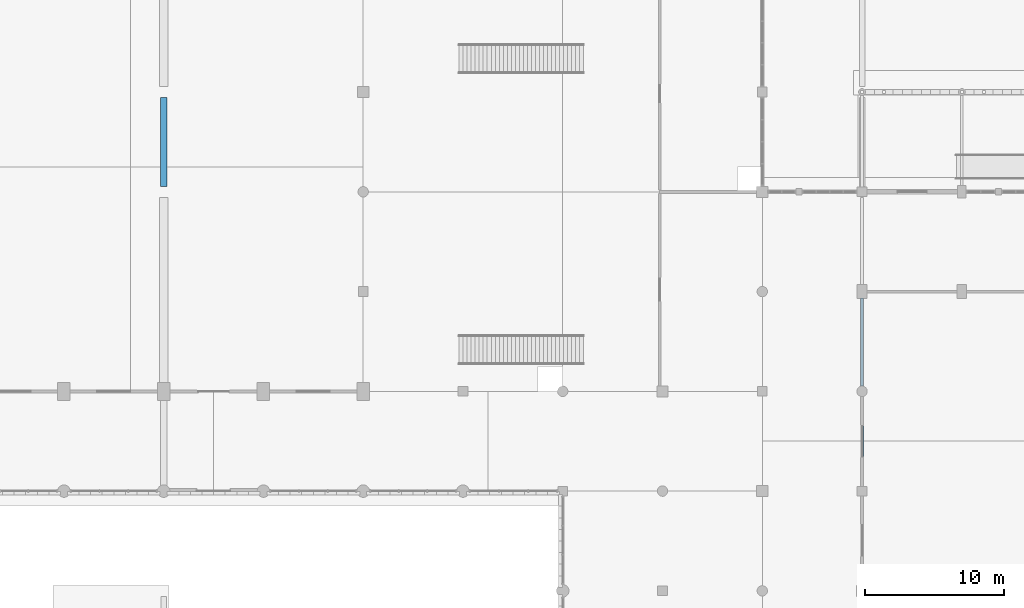
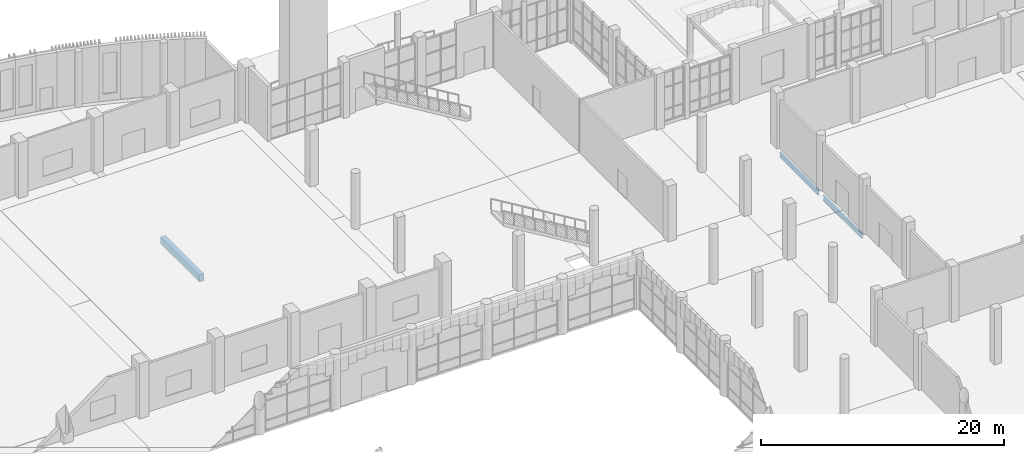
# One storey, part 24 of 85: 3 beams.
"""IFC4 building model written with IfcOpenShell, lengths in metres."""

from ifc_helpers import new_model, si_unit, direction, frame, origin, origin_2d, place, context, subcontext, project, spatial, rectangle, i_section, extrude, material, material_profile, profile_set, type_object, element, save


model = new_model("IFC4")

# Units and contexts
model_context = context("Model", 3, precision=1e-05, world=origin(), true_north=direction((0.0, 1.0)))
body_context = subcontext(model_context, "Body", "Model", "MODEL_VIEW")
ifc_project = project(units=[si_unit("LENGTHUNIT", "METRE"), si_unit("AREAUNIT", "SQUARE_METRE"), si_unit("VOLUMEUNIT", "CUBIC_METRE"), si_unit("PLANEANGLEUNIT", "RADIAN"), si_unit("MASSUNIT", "GRAM", prefix="KILO")], contexts=[model_context])

# Site, building, storey
site_placement = place(None, origin())
site = spatial("IfcSite", under=ifc_project, at=site_placement, CompositionType="ELEMENT")
building_placement = place(site_placement, origin())
building = spatial("IfcBuilding", under=site, at=building_placement, Name="Sardonyx Promenade Sports Hall", CompositionType="ELEMENT")
storey_placement = place(building_placement, origin())
storey = spatial("IfcBuildingStorey", under=building, at=storey_placement, Name="L00", CompositionType="ELEMENT", Elevation=0.0)

# Beams
ifc_material_1 = material(Name="Steel S355JR", Category="steel")
ifc_material_profile_1 = material_profile(ifc_material_1, i_section(OverallWidth=0.199951171875, OverallDepth=0.5, WebThickness=0.01025390625, FlangeThickness=0.01611328125, at=origin_2d()))
ifc_profile_set_1 = profile_set([ifc_material_profile_1], Name="Steel S355JR")
beam_type_1 = type_object("IfcBeamType", Name="Bm_Primary_IPE500", PredefinedType="BEAM", material=ifc_profile_set_1)
beam_1_placement = place(storey_placement, frame((115.199951171875, 65.199951171875, -0.659912109375), z_axis=(0.0, 1.0, 0.0), x_axis=(-1.0, 0.0, 0.0)))
element("IfcBeam", 1, at=beam_1_placement, inside=storey, type_object=beam_type_1, Name="Beam SB06 L00 #157", PredefinedType="BEAM", context=body_context, shape_type="SweptSolid", body=[
    extrude(i_section(OverallWidth=0.199951171875, OverallDepth=0.5, WebThickness=0.01025390625, FlangeThickness=0.01611328125, at=origin_2d()), origin(), (0.0, 0.0, 1.0), 6.400146484375),
])
beam_2_placement = place(storey_placement, frame((115.199951171875, 72.39990234375, -0.659912109375), z_axis=(0.0, 1.0, 0.0), x_axis=(-1.0, 0.0, 0.0)))
element("IfcBeam", 2, at=beam_2_placement, inside=storey, type_object=beam_type_1, Name="Beam SB06 L00 #158", PredefinedType="BEAM", context=body_context, shape_type="SweptSolid", body=[
    extrude(i_section(OverallWidth=0.199951171875, OverallDepth=0.5, WebThickness=0.01025390625, FlangeThickness=0.01611328125, at=origin_2d()), origin(), (0.0, 0.0, 1.0), 6.35009765625),
])
ifc_material_2 = material(Name="Concrete C40/50", Category="concrete")
ifc_material_profile_2 = material_profile(ifc_material_2, rectangle(XDim=0.449951171875, YDim=0.699951171875, at=origin_2d()))
ifc_profile_set_2 = profile_set([ifc_material_profile_2], Name="Concrete C40/50")
beam_type_2 = type_object("IfcBeamType", Name="Bm_Primary_RC700", PredefinedType="BEAM", material=ifc_profile_set_2)
beam_3_placement = place(storey_placement, frame((64.800048828125, 86.800048828125, -0.35009765625), z_axis=(0.0, 1.0, 0.0), x_axis=(-1.0, 0.0, 0.0)))
element("IfcBeam", 3, at=beam_3_placement, inside=storey, type_object=beam_type_2, Name="Beam BG01 L00 #146", PredefinedType="BEAM", context=body_context, shape_type="SweptSolid", body=[
    extrude(rectangle(XDim=0.449951171875, YDim=0.699951171875, at=origin_2d()), origin(), (0.0, 0.0, 1.0), 6.39990234375),
])

save(model, "model.ifc")
